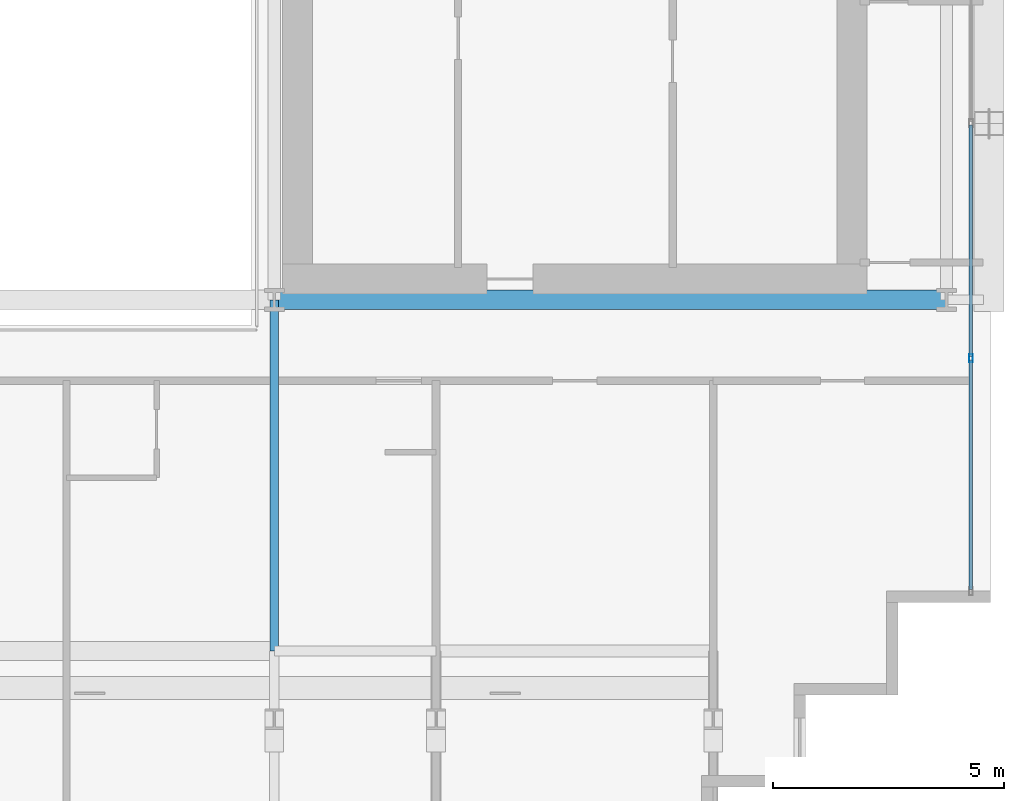
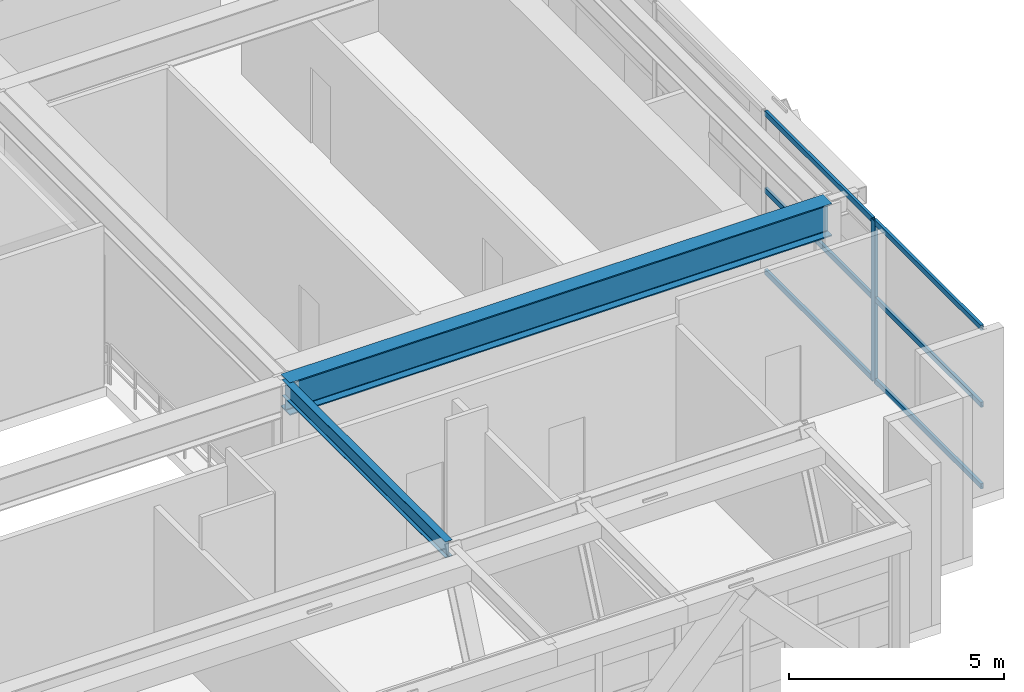
# One storey, part 11 of 35: 7 members, 2 beams, 1 element without a shape of its own.
"""IFC4 building model written with IfcOpenShell, lengths in metres."""

from ifc_helpers import new_model, si_unit, direction, frame, origin, origin_2d, place, context, subcontext, project, spatial, hollow_rectangle, i_section, extrude, source, transform, mapped, material, layer, layer_set, material_profile, profile_set, type_object, element, aggregate, save


model = new_model("IFC4")

# Units and contexts
model_context = context("Model", 3, precision=1e-05, world=origin(), true_north=direction((0.0, 1.0)))
body_context = subcontext(model_context, "Body", "Model", "MODEL_VIEW")
ifc_project = project(units=[si_unit("LENGTHUNIT", "METRE"), si_unit("AREAUNIT", "SQUARE_METRE"), si_unit("VOLUMEUNIT", "CUBIC_METRE"), si_unit("PLANEANGLEUNIT", "RADIAN"), si_unit("MASSUNIT", "GRAM", prefix="KILO")], contexts=[model_context])

# Site, building, storey
site_placement = place(None, origin())
site = spatial("IfcSite", under=ifc_project, at=site_placement, CompositionType="ELEMENT")
building_placement = place(site_placement, origin())
building = spatial("IfcBuilding", under=site, at=building_placement, Name="Ocotamira Hotel", CompositionType="ELEMENT")
storey_placement = place(building_placement, frame((0.0, 0.0, 158.39990234375)))
storey = spatial("IfcBuildingStorey", under=building, at=storey_placement, Name="L39", CompositionType="ELEMENT", Elevation=158.39990234375)

# Beams
ifc_material_1 = material(Name="Steel ASTM A992 Grade 50", Category="steel")
ifc_material_profile_1 = material_profile(ifc_material_1, i_section(OverallWidth=0.41796875, OverallDepth=0.927001953125, WebThickness=0.019287109375, FlangeThickness=0.031982421875, FilletRadius=0.02392578125, at=origin_2d()), Name="W36X231")
ifc_profile_set_1 = profile_set([ifc_material_profile_1], Name="Steel ASTM A992 Grade 50")
beam_type_1 = type_object("IfcBeamType", Name="BM-GIRD-W36X231", PredefinedType="BEAM", material=ifc_profile_set_1)
shared_shape_1 = source(origin(), body_context, "Body", "SweptSolid", [
    extrude(i_section(OverallWidth=0.41796875, OverallDepth=0.927001953125, WebThickness=0.019287109375, FlangeThickness=0.031982421875, FilletRadius=0.02392578125, at=origin_2d()), origin(), (0.0, 0.0, 1.0), 14.550048828125),
])
beam_1_placement = place(storey_placement, frame((40.5, 14.550048828125, 4.106689453125), z_axis=(1.0, 0.0, 0.0), x_axis=(0.0, 1.0, 0.0)))
element("IfcBeam", 1, at=beam_1_placement, inside=storey, type_object=beam_type_1, Name="L39 Girder Y14.55 X40.5-55.05", PredefinedType="BEAM", context=body_context, shape_type="MappedRepresentation", body=[
    mapped(shared_shape_1, transform((0.0, 0.0, 0.0), scale=1.0)),
])
ifc_material_profile_2 = material_profile(ifc_material_1, i_section(OverallWidth=0.18994140625, OverallDepth=0.45703125, WebThickness=0.009033203125, FlangeThickness=0.014404296875, FilletRadius=0.010009765625, at=origin_2d()), Name="W18X50")
ifc_profile_set_2 = profile_set([ifc_material_profile_2], Name="Steel ASTM A992 Grade 50")
beam_type_2 = type_object("IfcBeamType", Name="BM-SEC-W18X50", PredefinedType="JOIST", material=ifc_profile_set_2)
shared_shape_2 = source(origin(), body_context, "Body", "SweptSolid", [
    extrude(i_section(OverallWidth=0.18994140625, OverallDepth=0.45703125, WebThickness=0.009033203125, FlangeThickness=0.014404296875, FilletRadius=0.010009765625, at=origin_2d()), origin(), (0.0, 0.0, 1.0), 7.60009765625),
])
beam_2_placement = place(storey_placement, frame((40.5, 6.949951171875, 4.341552734375), z_axis=(0.0, 1.0, 0.0), x_axis=(-1.0, 0.0, 0.0)))
element("IfcBeam", 2, at=beam_2_placement, inside=storey, type_object=beam_type_2, Name="L39 Beam X40.5 Y6.95-14.55", PredefinedType="JOIST", context=body_context, shape_type="MappedRepresentation", body=[
    mapped(shared_shape_2, transform((0.0, 0.0, 0.0), scale=1.0)),
])

# Curtain wall, members
ifc_material_2 = material(Name="Anodised pale-metal aluminium and solar glass", Category="aluminium")
ifc_layer = layer(ifc_material_2, 0.239990234375)
ifc_layer_set = layer_set([ifc_layer], Name="Anodised pale-metal aluminium and solar glass")
curtain_wall_type = type_object("IfcCurtainWallType", Name="CW-SYS5-SKY", PredefinedType="NOTDEFINED", material=ifc_layer_set)
curtain_wall_placement = place(storey_placement, origin())
curtain_wall = element("IfcCurtainWall", 3, at=curtain_wall_placement, inside=storey, type_object=curtain_wall_type, Name="L39 Curtain Wall CW-5 CW-L39-E", PredefinedType="NOTDEFINED")
ifc_material_3 = material(Name="Anodised pale-metal aluminium 6063-T6", Category="aluminium")
ifc_material_profile_3 = material_profile(ifc_material_3, hollow_rectangle(XDim=0.074951171875, YDim=0.14990234375, WallThickness=0.006103515625, at=origin_2d()), Name="HSS150X75X6")
ifc_profile_set_3 = profile_set([ifc_material_profile_3], Name="Anodised pale-metal aluminium 6063-T6")
member_type_1 = type_object("IfcMemberType", Name="CWT-150X75", PredefinedType="USERDEFINED", material=ifc_profile_set_3)
shared_shape_3 = source(origin(), body_context, "Body", "SweptSolid", [
    extrude(hollow_rectangle(XDim=0.074951171875, YDim=0.14990234375, WallThickness=0.006103515625, at=origin_2d()), origin(), (0.0, 0.0, 1.0), 4.965576171875),
])
member_1_placement = place(storey_placement, frame((55.580078125, 8.280029296875, 0.03759765625), z_axis=(0.0, 1.0, 0.0), x_axis=(-1.0, 0.0, 0.0)))
member_1 = element("IfcMember", 4, at=member_1_placement, type_object=member_type_1, Name="CW-5 transom 1.1", ObjectType="TRANSOM", PredefinedType="USERDEFINED", context=body_context, shape_type="MappedRepresentation", body=[
    mapped(shared_shape_3, transform((0.0, 0.0, 0.0), scale=1.0)),
])
member_2_placement = place(storey_placement, frame((55.580078125, 8.280029296875, 2.35009765625), z_axis=(0.0, 1.0, 0.0), x_axis=(-1.0, 0.0, 0.0)))
member_2 = element("IfcMember", 5, at=member_2_placement, type_object=member_type_1, Name="CW-5 transom 1.2", ObjectType="TRANSOM", PredefinedType="USERDEFINED", context=body_context, shape_type="MappedRepresentation", body=[
    mapped(shared_shape_3, transform((0.0, 0.0, 0.0), scale=1.0)),
])
member_3_placement = place(storey_placement, frame((55.580078125, 8.280029296875, 4.53271484375), z_axis=(0.0, 1.0, 0.0), x_axis=(-1.0, 0.0, 0.0)))
member_3 = element("IfcMember", 6, at=member_3_placement, type_object=member_type_1, Name="CW-5 transom 1.3", ObjectType="TRANSOM", PredefinedType="USERDEFINED", context=body_context, shape_type="MappedRepresentation", body=[
    mapped(shared_shape_3, transform((0.0, 0.0, 0.0), scale=1.0)),
])
shared_shape_4 = source(origin(), body_context, "Body", "SweptSolid", [
    extrude(hollow_rectangle(XDim=0.074951171875, YDim=0.14990234375, WallThickness=0.006103515625, at=origin_2d()), origin(), (0.0, 0.0, 1.0), 5.005859375),
])
member_4_placement = place(storey_placement, frame((55.580078125, 13.32568359375, 0.03759765625), z_axis=(0.0, 1.0, 0.0), x_axis=(-1.0, 0.0, 0.0)))
member_4 = element("IfcMember", 7, at=member_4_placement, type_object=member_type_1, Name="CW-5 transom 2.1", ObjectType="TRANSOM", PredefinedType="USERDEFINED", context=body_context, shape_type="MappedRepresentation", body=[
    mapped(shared_shape_4, transform((0.0, 0.0, 0.0), scale=1.0)),
])
member_5_placement = place(storey_placement, frame((55.580078125, 13.32568359375, 2.35009765625), z_axis=(0.0, 1.0, 0.0), x_axis=(-1.0, 0.0, 0.0)))
member_5 = element("IfcMember", 8, at=member_5_placement, type_object=member_type_1, Name="CW-5 transom 2.2", ObjectType="TRANSOM", PredefinedType="USERDEFINED", context=body_context, shape_type="MappedRepresentation", body=[
    mapped(shared_shape_4, transform((0.0, 0.0, 0.0), scale=1.0)),
])
member_6_placement = place(storey_placement, frame((55.580078125, 13.32568359375, 4.53271484375), z_axis=(0.0, 1.0, 0.0), x_axis=(-1.0, 0.0, 0.0)))
member_6 = element("IfcMember", 9, at=member_6_placement, type_object=member_type_1, Name="CW-5 transom 2.3", ObjectType="TRANSOM", PredefinedType="USERDEFINED", context=body_context, shape_type="MappedRepresentation", body=[
    mapped(shared_shape_4, transform((0.0, 0.0, 0.0), scale=1.0)),
])
ifc_material_profile_4 = material_profile(ifc_material_3, hollow_rectangle(XDim=0.080078125, YDim=0.179931640625, WallThickness=0.006103515625, at=origin_2d()), Name="HSS180X80X6")
ifc_profile_set_4 = profile_set([ifc_material_profile_4], Name="Anodised pale-metal aluminium 6063-T6")
member_type_2 = type_object("IfcMemberType", Name="CWM-180X75", PredefinedType="MULLION", material=ifc_profile_set_4)
shared_shape_5 = source(origin(), body_context, "Body", "SweptSolid", [
    extrude(hollow_rectangle(XDim=0.080078125, YDim=0.179931640625, WallThickness=0.006103515625, at=origin_2d()), origin(), (0.0, 0.0, 1.0), 4.570068359375),
])
member_7_placement = place(storey_placement, frame((55.580078125, 13.28564453125, 0.0), z_axis=(0.0, 0.0, 1.0), x_axis=(-1.0, 0.0, 0.0)))
member_7 = element("IfcMember", 10, at=member_7_placement, type_object=member_type_2, Name="CW-5 mullion 2", PredefinedType="MULLION", context=body_context, shape_type="MappedRepresentation", body=[
    mapped(shared_shape_5, transform((0.0, 0.0, 0.0), scale=1.0)),
])
aggregate(curtain_wall, [member_7, member_1, member_2, member_3, member_4, member_5, member_6])

save(model, "model.ifc")
